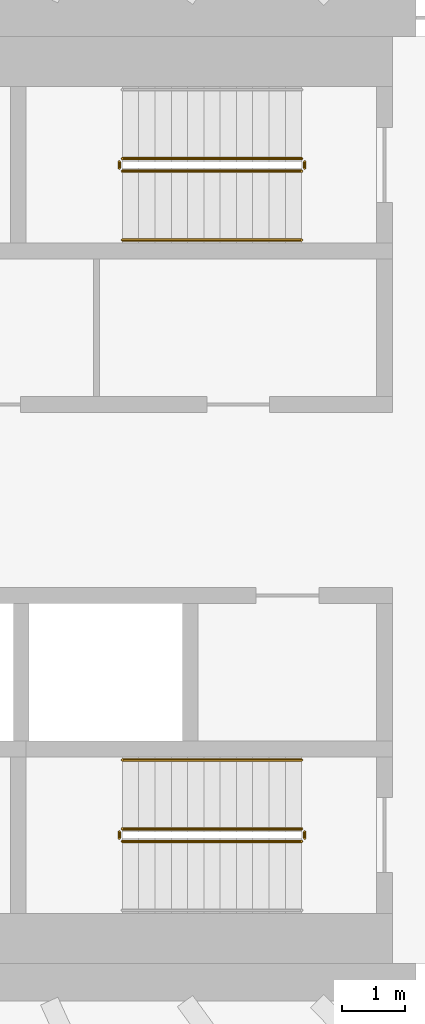
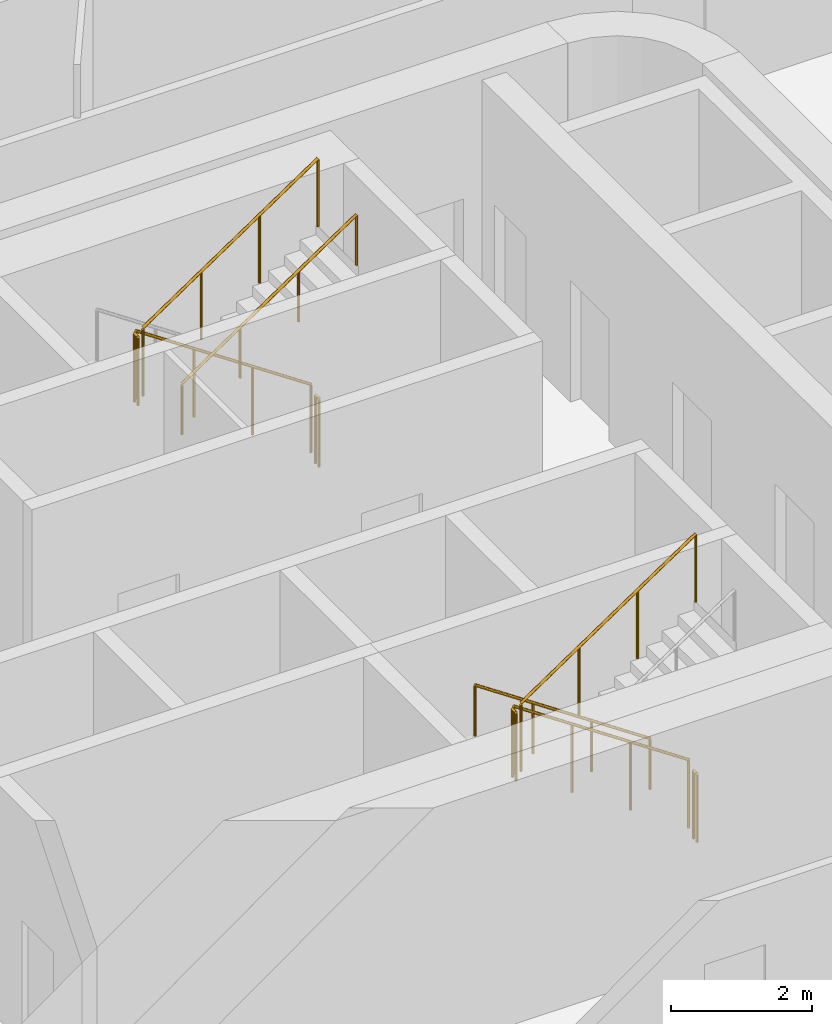
# One storey, part 24 of 26: 10 railings.
"""IFC4 building model written with IfcOpenShell, lengths in metres."""

from ifc_helpers import new_model, si_unit, direction, frame, origin, origin_2d, place, context, subcontext, project, spatial, circle, extrude, material, type_object, element, save


model = new_model("IFC4")

# Units and contexts
model_context = context("Model", 3, precision=1e-05, world=origin(), true_north=direction((0.0, 1.0)))
body_context = subcontext(model_context, "Body", "Model", "MODEL_VIEW")
ifc_project = project(units=[si_unit("LENGTHUNIT", "METRE"), si_unit("AREAUNIT", "SQUARE_METRE"), si_unit("VOLUMEUNIT", "CUBIC_METRE"), si_unit("PLANEANGLEUNIT", "RADIAN"), si_unit("MASSUNIT", "GRAM", prefix="KILO")], contexts=[model_context])

# Site, building, storey
site_placement = place(None, origin())
site = spatial("IfcSite", under=ifc_project, at=site_placement, CompositionType="ELEMENT")
building_placement = place(site_placement, origin())
building = spatial("IfcBuilding", under=site, at=building_placement, Name="Sahrelin Media Tower", CompositionType="ELEMENT")
storey_placement = place(building_placement, frame((0.0, 0.0, 131.39990234375)))
storey = spatial("IfcBuildingStorey", under=building, at=storey_placement, Name="L26", CompositionType="ELEMENT", Elevation=131.39990234375)

# Railings
ifc_material = material(Name="Steel S355", Category="steel")
railing_type_1 = type_object("IfcRailingType", Name="Stair guard 1200", PredefinedType="GUARDRAIL", material=ifc_material)
railing_1_placement = place(storey_placement, frame((7.675048828125, 5.449951171875, 0.175048828125)))
element("IfcRailing", 1, at=railing_1_placement, inside=storey, type_object=railing_type_1, Name="L26 ST3 stair guard 1", PredefinedType="GUARDRAIL", context=body_context, shape_type="SweptSolid", body=[
    extrude(circle(Radius=0.02392578125, at=origin_2d()), frame((0.0, 0.0, 1.17578125), z_axis=(-0.829590901723, 0.0, 0.558371682465), x_axis=(0.0, -1.0, 0.0)), (0.0, 0.0, 1.0), 3.447509765625),
    extrude(circle(Radius=0.02099609375, at=origin_2d()), origin(), (0.0, 0.0, 1.0), 1.15185546875),
    extrude(circle(Radius=0.02099609375, at=origin_2d()), frame((-0.953369140625, 0.0, 0.6416015625)), (0.0, 0.0, 1.0), 1.15185546875),
    extrude(circle(Radius=0.02099609375, at=origin_2d()), frame((-1.90673828125, 0.0, 1.283447265625)), (0.0, 0.0, 1.0), 1.15185546875),
    extrude(circle(Radius=0.02099609375, at=origin_2d()), frame((-2.860107421875, 0.0, 1.925048828125)), (0.0, 0.0, 1.0), 1.15185546875),
])
railing_2_placement = place(storey_placement, frame((4.764892578125, 5.39990234375, 2.10009765625)))
element("IfcRailing", 2, at=railing_2_placement, inside=storey, type_object=railing_type_1, Name="L26 ST3 stair guard 2", PredefinedType="GUARDRAIL", context=body_context, shape_type="SweptSolid", body=[
    extrude(circle(Radius=0.02392578125, at=origin_2d()), frame((0.0, 0.0, 1.17578125), z_axis=(0.0, -1.0, 0.0), x_axis=(1.0, 0.0, 0.0)), (0.0, 0.0, 1.0), 0.099853515625),
    extrude(circle(Radius=0.02099609375, at=origin_2d()), origin(), (0.0, 0.0, 1.0), 1.15185546875),
    extrude(circle(Radius=0.02099609375, at=origin_2d()), frame((0.0, -0.099853515625, 0.0)), (0.0, 0.0, 1.0), 1.15185546875),
])
railing_3_placement = place(storey_placement, frame((4.81494140625, 5.25, 2.275146484375)))
element("IfcRailing", 3, at=railing_3_placement, inside=storey, type_object=railing_type_1, Name="L26 ST3 stair guard 3", PredefinedType="GUARDRAIL", context=body_context, shape_type="SweptSolid", body=[
    extrude(circle(Radius=0.02392578125, at=origin_2d()), frame((0.0, 0.0, 1.17578125), z_axis=(0.829590901723, 0.0, 0.558371682465), x_axis=(0.0, 1.0, 0.0)), (0.0, 0.0, 1.0), 3.447509765625),
    extrude(circle(Radius=0.02099609375, at=origin_2d()), origin(), (0.0, 0.0, 1.0), 1.15185546875),
    extrude(circle(Radius=0.02099609375, at=origin_2d()), frame((0.953369140625, 0.0, 0.6416015625)), (0.0, 0.0, 1.0), 1.15185546875),
    extrude(circle(Radius=0.02099609375, at=origin_2d()), frame((1.90673828125, 0.0, 1.283447265625)), (0.0, 0.0, 1.0), 1.15185546875),
    extrude(circle(Radius=0.02099609375, at=origin_2d()), frame((2.860107421875, 0.0, 1.925048828125)), (0.0, 0.0, 1.0), 1.15185546875),
])
railing_4_placement = place(storey_placement, frame((7.72509765625, 5.39990234375, 0.0)))
element("IfcRailing", 4, at=railing_4_placement, inside=storey, type_object=railing_type_1, Name="L26 ST3 stair guard 4", PredefinedType="GUARDRAIL", context=body_context, shape_type="SweptSolid", body=[
    extrude(circle(Radius=0.02392578125, at=origin_2d()), frame((0.0, 0.0, 1.17578125), z_axis=(0.0, -1.0, 0.0), x_axis=(1.0, 0.0, 0.0)), (0.0, 0.0, 1.0), 0.099853515625),
    extrude(circle(Radius=0.02099609375, at=origin_2d()), origin(), (0.0, 0.0, 1.0), 1.15185546875),
    extrude(circle(Radius=0.02099609375, at=origin_2d()), frame((0.0, -0.099853515625, 0.0)), (0.0, 0.0, 1.0), 1.15185546875),
])
railing_5_placement = place(storey_placement, frame((7.675048828125, -5.25, 0.175048828125)))
element("IfcRailing", 5, at=railing_5_placement, inside=storey, type_object=railing_type_1, Name="L26 ST2 stair guard 1", PredefinedType="GUARDRAIL", context=body_context, shape_type="SweptSolid", body=[
    extrude(circle(Radius=0.02392578125, at=origin_2d()), frame((0.0, 0.0, 1.17578125), z_axis=(-0.829590901723, 0.0, 0.558371682465), x_axis=(0.0, -1.0, 0.0)), (0.0, 0.0, 1.0), 3.447509765625),
    extrude(circle(Radius=0.02099609375, at=origin_2d()), origin(), (0.0, 0.0, 1.0), 1.15185546875),
    extrude(circle(Radius=0.02099609375, at=origin_2d()), frame((-0.953369140625, 0.0, 0.6416015625)), (0.0, 0.0, 1.0), 1.15185546875),
    extrude(circle(Radius=0.02099609375, at=origin_2d()), frame((-1.90673828125, 0.0, 1.283447265625)), (0.0, 0.0, 1.0), 1.15185546875),
    extrude(circle(Radius=0.02099609375, at=origin_2d()), frame((-2.860107421875, 0.0, 1.925048828125)), (0.0, 0.0, 1.0), 1.15185546875),
])
railing_6_placement = place(storey_placement, frame((4.764892578125, -5.300048828125, 2.10009765625)))
element("IfcRailing", 6, at=railing_6_placement, inside=storey, type_object=railing_type_1, Name="L26 ST2 stair guard 2", PredefinedType="GUARDRAIL", context=body_context, shape_type="SweptSolid", body=[
    extrude(circle(Radius=0.02392578125, at=origin_2d()), frame((0.0, 0.0, 1.17578125), z_axis=(0.0, -1.0, 0.0), x_axis=(1.0, 0.0, 0.0)), (0.0, 0.0, 1.0), 0.099853515625),
    extrude(circle(Radius=0.02099609375, at=origin_2d()), origin(), (0.0, 0.0, 1.0), 1.15185546875),
    extrude(circle(Radius=0.02099609375, at=origin_2d()), frame((0.0, -0.099853515625, 0.0)), (0.0, 0.0, 1.0), 1.15185546875),
])
railing_7_placement = place(storey_placement, frame((4.81494140625, -5.449951171875, 2.275146484375)))
element("IfcRailing", 7, at=railing_7_placement, inside=storey, type_object=railing_type_1, Name="L26 ST2 stair guard 3", PredefinedType="GUARDRAIL", context=body_context, shape_type="SweptSolid", body=[
    extrude(circle(Radius=0.02392578125, at=origin_2d()), frame((0.0, 0.0, 1.17578125), z_axis=(0.829590901723, 0.0, 0.558371682465), x_axis=(0.0, 1.0, 0.0)), (0.0, 0.0, 1.0), 3.447509765625),
    extrude(circle(Radius=0.02099609375, at=origin_2d()), origin(), (0.0, 0.0, 1.0), 1.15185546875),
    extrude(circle(Radius=0.02099609375, at=origin_2d()), frame((0.953369140625, 0.0, 0.6416015625)), (0.0, 0.0, 1.0), 1.15185546875),
    extrude(circle(Radius=0.02099609375, at=origin_2d()), frame((1.90673828125, 0.0, 1.283447265625)), (0.0, 0.0, 1.0), 1.15185546875),
    extrude(circle(Radius=0.02099609375, at=origin_2d()), frame((2.860107421875, 0.0, 1.925048828125)), (0.0, 0.0, 1.0), 1.15185546875),
])
railing_8_placement = place(storey_placement, frame((7.72509765625, -5.300048828125, 0.0)))
element("IfcRailing", 8, at=railing_8_placement, inside=storey, type_object=railing_type_1, Name="L26 ST2 stair guard 4", PredefinedType="GUARDRAIL", context=body_context, shape_type="SweptSolid", body=[
    extrude(circle(Radius=0.02392578125, at=origin_2d()), frame((0.0, 0.0, 1.17578125), z_axis=(0.0, -1.0, 0.0), x_axis=(1.0, 0.0, 0.0)), (0.0, 0.0, 1.0), 0.099853515625),
    extrude(circle(Radius=0.02099609375, at=origin_2d()), origin(), (0.0, 0.0, 1.0), 1.15185546875),
    extrude(circle(Radius=0.02099609375, at=origin_2d()), frame((0.0, -0.099853515625, 0.0)), (0.0, 0.0, 1.0), 1.15185546875),
])
railing_type_2 = type_object("IfcRailingType", Name="Stair handrail 900", PredefinedType="HANDRAIL", material=ifc_material)
railing_9_placement = place(storey_placement, frame((4.81494140625, 4.14990234375, 2.275146484375)))
element("IfcRailing", 9, at=railing_9_placement, inside=storey, type_object=railing_type_2, Name="L26 ST3 stair handrail 2", PredefinedType="HANDRAIL", context=body_context, shape_type="SweptSolid", body=[
    extrude(circle(Radius=0.02392578125, at=origin_2d()), frame((0.0, 0.0, 0.8759765625), z_axis=(0.829590901723, 0.0, 0.558371682465), x_axis=(0.0, 1.0, 0.0)), (0.0, 0.0, 1.0), 3.447509765625),
    extrude(circle(Radius=0.02099609375, at=origin_2d()), origin(), (0.0, 0.0, 1.0), 0.851806640625),
    extrude(circle(Radius=0.02099609375, at=origin_2d()), frame((0.953369140625, 0.0, 0.6416015625)), (0.0, 0.0, 1.0), 0.851806640625),
    extrude(circle(Radius=0.02099609375, at=origin_2d()), frame((1.90673828125, 0.0, 1.283447265625)), (0.0, 0.0, 1.0), 0.851806640625),
    extrude(circle(Radius=0.02099609375, at=origin_2d()), frame((2.860107421875, 0.0, 1.925048828125)), (0.0, 0.0, 1.0), 0.851806640625),
])
railing_10_placement = place(storey_placement, frame((7.675048828125, -4.14990234375, 0.175048828125)))
element("IfcRailing", 10, at=railing_10_placement, inside=storey, type_object=railing_type_2, Name="L26 ST2 stair handrail 1", PredefinedType="HANDRAIL", context=body_context, shape_type="SweptSolid", body=[
    extrude(circle(Radius=0.02392578125, at=origin_2d()), frame((0.0, 0.0, 0.8759765625), z_axis=(-0.829590901723, 0.0, 0.558371682465), x_axis=(0.0, -1.0, 0.0)), (0.0, 0.0, 1.0), 3.447509765625),
    extrude(circle(Radius=0.02099609375, at=origin_2d()), origin(), (0.0, 0.0, 1.0), 0.851806640625),
    extrude(circle(Radius=0.02099609375, at=origin_2d()), frame((-0.953369140625, 0.0, 0.6416015625)), (0.0, 0.0, 1.0), 0.851806640625),
    extrude(circle(Radius=0.02099609375, at=origin_2d()), frame((-1.90673828125, 0.0, 1.283447265625)), (0.0, 0.0, 1.0), 0.851806640625),
    extrude(circle(Radius=0.02099609375, at=origin_2d()), frame((-2.860107421875, 0.0, 1.925048828125)), (0.0, 0.0, 1.0), 0.851806640625),
])

save(model, "model.ifc")
